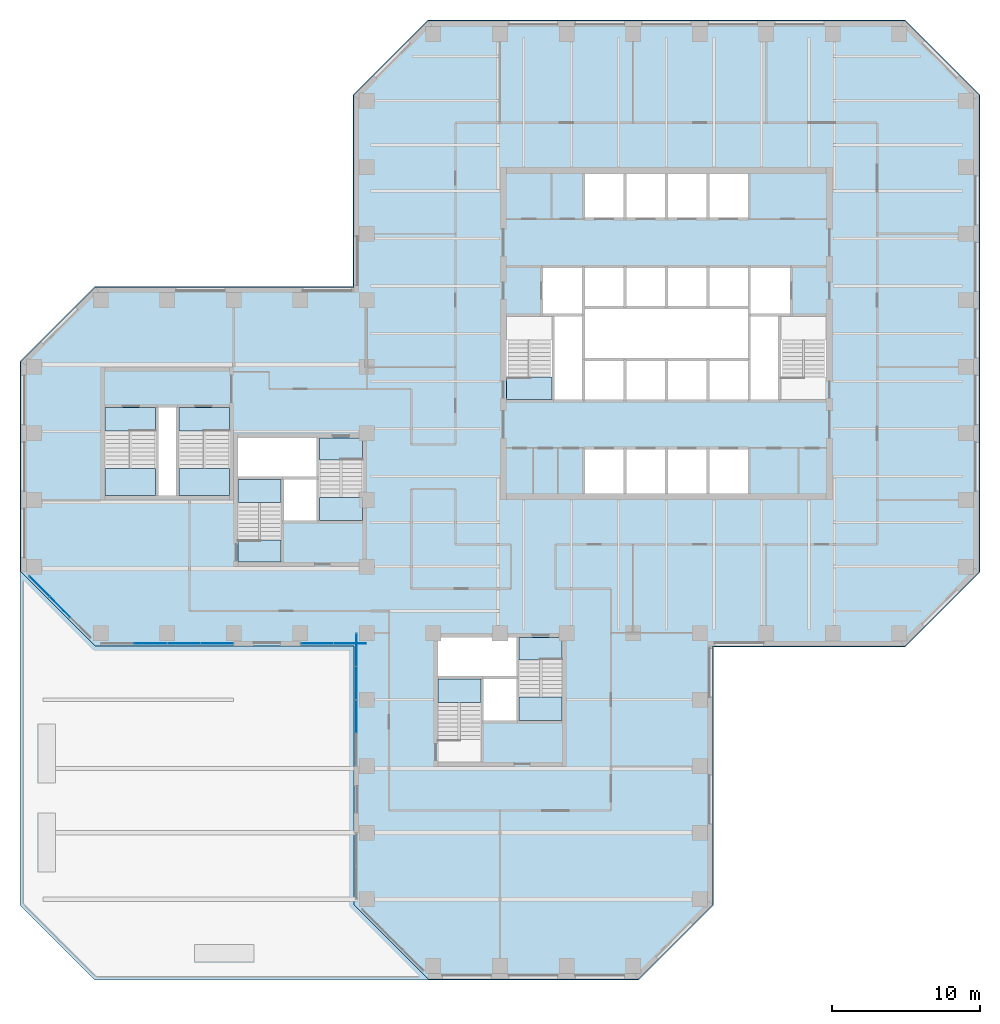
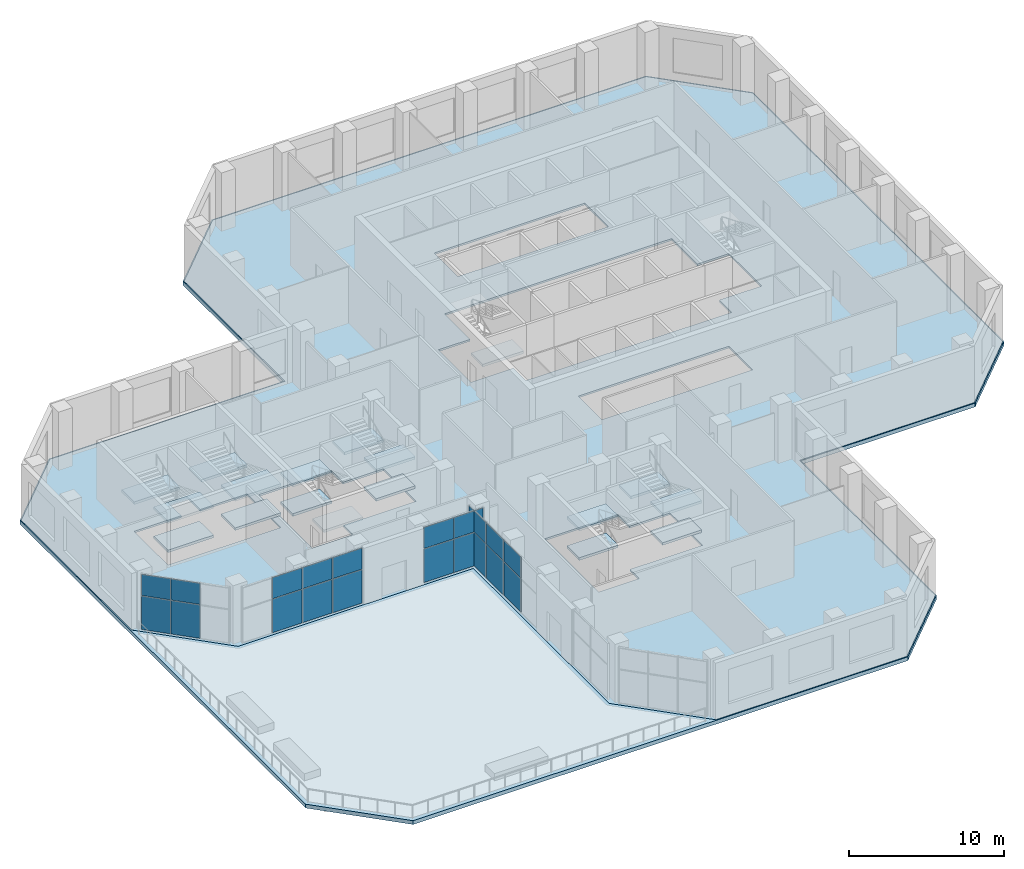
# One storey, part 5 of 14: 20 plates, 20 slabs, 11 elements without a shape of their own.
"""IFC4 building model written with IfcOpenShell, lengths in metres."""

from ifc_helpers import new_model, si_unit, direction, frame, origin, origin_2d, place, context, subcontext, project, spatial, polyline, rectangle, outline, extrude, material, layer, layer_set, constituent, constituent_set, type_object, element, aggregate, save


model = new_model("IFC4")

# Units and contexts
model_context = context("Model", 3, precision=1e-05, world=origin(), true_north=direction((0.0, 1.0)))
body_context = subcontext(model_context, "Body", "Model", "MODEL_VIEW")
ifc_project = project(units=[si_unit("LENGTHUNIT", "METRE"), si_unit("AREAUNIT", "SQUARE_METRE"), si_unit("VOLUMEUNIT", "CUBIC_METRE"), si_unit("PLANEANGLEUNIT", "RADIAN"), si_unit("MASSUNIT", "GRAM", prefix="KILO")], contexts=[model_context])

# Site, building, storey
site_placement = place(None, origin())
site = spatial("IfcSite", under=ifc_project, at=site_placement, CompositionType="ELEMENT")
building_placement = place(site_placement, origin())
building = spatial("IfcBuilding", under=site, at=building_placement, Name="Quoin Convention Tower", CompositionType="ELEMENT")
storey_placement = place(building_placement, frame((0.0, 0.0, 74.300048828125)))
storey = spatial("IfcBuildingStorey", under=building, at=storey_placement, Name="L19", CompositionType="ELEMENT", Elevation=74.300048828125)

# Slabs
ifc_material_1 = material(Name="Concrete C40", Category="concrete")
ifc_layer_1 = layer(ifc_material_1, 0.14990234375)
ifc_layer_set_1 = layer_set([ifc_layer_1], Name="Concrete C40")
slab_type_1 = type_object("IfcSlabType", Name="COMPOSITE SLAB 150 C40", PredefinedType="FLOOR", material=ifc_layer_set_1)
slab_1_placement = place(storey_placement, frame((0.0, 0.0, -0.150146484375)))
element("IfcSlab", 1, at=slab_1_placement, inside=storey, type_object=slab_type_1, Name="slb-L19", PredefinedType="FLOOR", context=body_context, shape_type="SweptSolid", body=[
    extrude(outline(polyline([(59.375, 22.1376953125), (54.3623046875, 17.125), (40.1376953125, 17.125), (35.125, 22.1376953125), (35.125, 39.625), (17.6376953125, 39.625), (12.625, 44.6376953125), (12.625, 58.8623046875), (17.6376953125, 63.875), (35.125, 63.875), (35.125, 76.8623046875), (40.1376953125, 81.875), (72.3623046875, 81.875), (77.375, 76.8623046875), (77.375, 44.6376953125), (72.3623046875, 39.625), (59.375, 39.625), (59.375, 22.1376953125)]), holes=[polyline([(40.800048828125, 40.199951171875), (40.800048828125, 37.5), (40.800048828125, 33.300537109375), (43.800048828125, 33.300537109375), (43.800048828125, 34.5), (46.199951171875, 34.5), (49.199951171875, 34.5), (49.199951171875, 38.699462890625), (46.199951171875, 38.699462890625), (46.199951171875, 40.199951171875), (40.800048828125, 40.199951171875)]), polyline([(35.699951171875, 52.199462890625), (32.699951171875, 52.199462890625), (32.699951171875, 53.699951171875), (27.300048828125, 53.699951171875), (27.300048828125, 51.0), (27.300048828125, 46.800537109375), (30.300048828125, 46.800537109375), (30.300048828125, 48.0), (32.699951171875, 48.0), (35.699951171875, 48.0), (35.699951171875, 52.199462890625)]), polyline([(53.449951171875, 49.949951171875), (56.25, 49.949951171875), (59.050048828125, 49.949951171875), (61.85009765625, 49.949951171875), (61.85009765625, 53.0), (59.050048828125, 53.0), (56.25, 53.0), (53.449951171875, 53.0), (50.64990234375, 53.0), (50.64990234375, 49.949951171875), (53.449951171875, 49.949951171875)]), polyline([(21.800048828125, 55.85009765625), (21.800048828125, 54.1494140625), (18.300048828125, 54.1494140625), (18.300048828125, 49.800048828125), (21.800048828125, 49.800048828125), (23.199951171875, 49.800048828125), (26.699951171875, 49.800048828125), (26.699951171875, 54.1494140625), (23.199951171875, 54.1494140625), (23.199951171875, 55.85009765625), (21.800048828125, 55.85009765625)]), polyline([(48.60009765625, 57.800537109375), (48.60009765625, 56.199951171875), (50.64990234375, 56.199951171875), (53.449951171875, 56.199951171875), (56.25, 56.199951171875), (59.050048828125, 56.199951171875), (61.85009765625, 56.199951171875), (63.89990234375, 56.199951171875), (63.89990234375, 57.800537109375), (67.050048828125, 57.800537109375), (67.050048828125, 62.0), (64.699951171875, 62.0), (64.699951171875, 65.300048828125), (61.85009765625, 65.300048828125), (59.050048828125, 65.300048828125), (56.25, 65.300048828125), (53.449951171875, 65.300048828125), (50.64990234375, 65.300048828125), (47.800048828125, 65.300048828125), (47.800048828125, 62.0), (45.449951171875, 62.0), (45.449951171875, 57.800537109375), (48.60009765625, 57.800537109375)]), polyline([(50.64990234375, 68.5), (53.449951171875, 68.5), (56.25, 68.5), (59.050048828125, 68.5), (61.85009765625, 68.5), (61.85009765625, 71.550048828125), (59.050048828125, 71.550048828125), (56.25, 71.550048828125), (53.449951171875, 71.550048828125), (50.64990234375, 71.550048828125), (50.64990234375, 68.5)])]), origin(), (0.0, 0.0, 1.0), 0.150146484375),
])
ifc_material_2 = material(Name="Concrete C50", Category="concrete")
ifc_layer_2 = layer(ifc_material_2, 0.300048828125)
ifc_layer_set_2 = layer_set([ifc_layer_2], Name="Concrete C50")
slab_type_2 = type_object("IfcSlabType", Name="RC ROOF SLAB 300 C50", PredefinedType="ROOF", material=ifc_layer_set_2)
slab_2_placement = place(storey_placement, frame((0.0, 0.0, -0.300048828125)))
element("IfcSlab", 2, at=slab_2_placement, inside=storey, type_object=slab_type_2, Name="slb-L19-rf", PredefinedType="ROOF", context=body_context, shape_type="SweptSolid", body=[
    extrude(outline(polyline([(12.550048828125, 58.88525390625), (12.550048828125, 58.88720703125), (12.55029296875, 58.88916015625), (12.55078125, 58.89111328125), (12.551513671875, 58.892822265625), (12.552490234375, 58.89453125), (12.553466796875, 58.896240234375), (12.554443359375, 58.89794921875), (12.555908203125, 58.8994140625), (17.6005859375, 63.944091796875), (17.60205078125, 63.945556640625), (17.603759765625, 63.946533203125), (17.60546875, 63.947509765625), (17.607177734375, 63.948486328125), (17.60888671875, 63.94921875), (17.61083984375, 63.94970703125), (17.61279296875, 63.949951171875), (17.61474609375, 63.949951171875), (35.049560546875, 63.949951171875), (35.050048828125, 63.949951171875), (35.050048828125, 63.950439453125), (35.050048828125, 76.88525390625), (35.050048828125, 76.88720703125), (35.05029296875, 76.88916015625), (35.05078125, 76.89111328125), (35.051513671875, 76.892822265625), (35.052490234375, 76.89453125), (35.053466796875, 76.896240234375), (35.054443359375, 76.89794921875), (35.055908203125, 76.8994140625), (40.1005859375, 81.944091796875), (40.10205078125, 81.945556640625), (40.103759765625, 81.946533203125), (40.10546875, 81.947509765625), (40.107177734375, 81.948486328125), (40.10888671875, 81.94921875), (40.11083984375, 81.94970703125), (40.11279296875, 81.949951171875), (40.11474609375, 81.949951171875), (72.38525390625, 81.949951171875), (72.38720703125, 81.949951171875), (72.38916015625, 81.94970703125), (72.39111328125, 81.94921875), (72.392822265625, 81.948486328125), (72.39453125, 81.947509765625), (72.396240234375, 81.946533203125), (72.39794921875, 81.945556640625), (72.3994140625, 81.944091796875), (77.444091796875, 76.8994140625), (77.445556640625, 76.89794921875), (77.446533203125, 76.896240234375), (77.447509765625, 76.89453125), (77.448486328125, 76.892822265625), (77.44921875, 76.89111328125), (77.44970703125, 76.88916015625), (77.449951171875, 76.88720703125), (77.449951171875, 76.88525390625), (77.449951171875, 44.61474609375), (77.449951171875, 44.61279296875), (77.44970703125, 44.61083984375), (77.44921875, 44.60888671875), (77.448486328125, 44.607177734375), (77.447509765625, 44.60546875), (77.446533203125, 44.603759765625), (77.445556640625, 44.60205078125), (77.444091796875, 44.6005859375), (72.3994140625, 39.555908203125), (72.39794921875, 39.554443359375), (72.396240234375, 39.553466796875), (72.39453125, 39.552490234375), (72.392822265625, 39.551513671875), (72.39111328125, 39.55078125), (72.38916015625, 39.55029296875), (72.38720703125, 39.550048828125), (72.38525390625, 39.550048828125), (59.450439453125, 39.550048828125), (59.449951171875, 39.550048828125), (59.449951171875, 39.549560546875), (59.449951171875, 22.11474609375), (59.449951171875, 22.11279296875), (59.44970703125, 22.11083984375), (59.44921875, 22.10888671875), (59.448486328125, 22.107177734375), (59.447509765625, 22.10546875), (59.446533203125, 22.103759765625), (59.445556640625, 22.10205078125), (59.444091796875, 22.1005859375), (54.3994140625, 17.055908203125), (54.39794921875, 17.054443359375), (54.396240234375, 17.053466796875), (54.39453125, 17.052490234375), (54.392822265625, 17.051513671875), (54.39111328125, 17.05078125), (54.38916015625, 17.05029296875), (54.38720703125, 17.050048828125), (54.38525390625, 17.050048828125), (17.61474609375, 17.050048828125), (17.61279296875, 17.050048828125), (17.61083984375, 17.05029296875), (17.60888671875, 17.05078125), (17.607177734375, 17.051513671875), (17.60546875, 17.052490234375), (17.603759765625, 17.053466796875), (17.60205078125, 17.054443359375), (17.6005859375, 17.055908203125), (12.555908203125, 22.1005859375), (12.554443359375, 22.10205078125), (12.553466796875, 22.103759765625), (12.552490234375, 22.10546875), (12.551513671875, 22.107177734375), (12.55078125, 22.10888671875), (12.55029296875, 22.11083984375), (12.550048828125, 22.11279296875), (12.550048828125, 22.11474609375), (12.550048828125, 58.88525390625)]), holes=[polyline([(12.625, 44.6376953125), (12.625244140625, 44.63720703125), (17.63720703125, 39.625244140625), (17.6376953125, 39.625), (17.63818359375, 39.625), (35.10498046875, 39.625), (35.10693359375, 39.625), (35.10888671875, 39.62451171875), (35.11083984375, 39.6240234375), (35.11279296875, 39.62353515625), (35.114501953125, 39.62255859375), (35.1162109375, 39.62158203125), (35.11767578125, 39.62060546875), (35.119140625, 39.619140625), (35.12060546875, 39.61767578125), (35.12158203125, 39.6162109375), (35.12255859375, 39.614501953125), (35.12353515625, 39.61279296875), (35.1240234375, 39.61083984375), (35.12451171875, 39.60888671875), (35.125, 39.60693359375), (35.125, 39.60498046875), (35.125, 22.13818359375), (35.125, 22.1376953125), (35.125244140625, 22.13720703125), (40.13720703125, 17.125244140625), (40.1376953125, 17.125), (40.13818359375, 17.125), (54.36181640625, 17.125), (54.3623046875, 17.125), (54.36279296875, 17.125244140625), (59.374755859375, 22.13720703125), (59.375, 22.1376953125), (59.375, 22.13818359375), (59.375, 39.60498046875), (59.375, 39.60693359375), (59.37548828125, 39.60888671875), (59.3759765625, 39.61083984375), (59.37646484375, 39.61279296875), (59.37744140625, 39.614501953125), (59.37841796875, 39.6162109375), (59.37939453125, 39.61767578125), (59.380859375, 39.619140625), (59.38232421875, 39.62060546875), (59.3837890625, 39.62158203125), (59.385498046875, 39.62255859375), (59.38720703125, 39.62353515625), (59.38916015625, 39.6240234375), (59.39111328125, 39.62451171875), (59.39306640625, 39.625), (59.39501953125, 39.625), (72.36181640625, 39.625), (72.3623046875, 39.625), (72.36279296875, 39.625244140625), (77.374755859375, 44.63720703125), (77.375, 44.6376953125), (77.375, 44.63818359375), (77.375, 76.86181640625), (77.375, 76.8623046875), (77.374755859375, 76.86279296875), (72.36279296875, 81.874755859375), (72.3623046875, 81.875), (72.36181640625, 81.875), (40.13818359375, 81.875), (40.1376953125, 81.875), (40.13720703125, 81.874755859375), (35.125244140625, 76.86279296875), (35.125, 76.8623046875), (35.125, 76.86181640625), (35.125, 63.89501953125), (35.125, 63.89306640625), (35.12451171875, 63.89111328125), (35.1240234375, 63.88916015625), (35.12353515625, 63.88720703125), (35.12255859375, 63.885498046875), (35.12158203125, 63.8837890625), (35.12060546875, 63.88232421875), (35.119140625, 63.880859375), (35.11767578125, 63.87939453125), (35.1162109375, 63.87841796875), (35.114501953125, 63.87744140625), (35.11279296875, 63.87646484375), (35.11083984375, 63.8759765625), (35.10888671875, 63.87548828125), (35.10693359375, 63.875), (35.10498046875, 63.875), (17.63818359375, 63.875), (17.6376953125, 63.875), (17.63720703125, 63.874755859375), (12.625244140625, 58.86279296875), (12.625, 58.8623046875), (12.625, 58.86181640625), (12.625, 44.63818359375), (12.625, 44.6376953125)])]), origin(), (0.0, 0.0, 1.0), 0.300048828125),
])

# Curtain wall, plates
ifc_material_3 = material(Name="Aluminium", Category="aluminium")
ifc_constituent_1 = constituent(ifc_material_3, Name="Frame")
ifc_material_4 = material(Name="Insulated glass", Category="glass")
ifc_constituent_2 = constituent(ifc_material_4, Name="Glazing")
ifc_constituent_set = constituent_set(constituents=[ifc_constituent_1, ifc_constituent_2], Name="Aluminium")
curtain_wall_type = type_object("IfcCurtainWallType", Name="Sky lobby glazing system", PredefinedType="NOTDEFINED", material=ifc_constituent_set)
curtain_wall_1_placement = place(storey_placement, origin())
curtain_wall_1 = element("IfcCurtainWall", 3, at=curtain_wall_1_placement, inside=storey, type_object=curtain_wall_type, Name="cw-SKY-L19-13005_44505", PredefinedType="NOTDEFINED")
ifc_layer_3 = layer(ifc_material_4, 0.035888671875)
ifc_layer_set_3 = layer_set([ifc_layer_3], Name="Insulated glass")
plate_type = type_object("IfcPlateType", Name="Sky lobby glazing glazing unit 36", PredefinedType="CURTAIN_PANEL", material=ifc_layer_set_3)
plate_1_placement = place(storey_placement, frame((13.86328125, 43.646728515625, 0.050048828125), z_axis=(0.0, 0.0, 1.0), x_axis=(0.707115210816, -0.707098351457, 0.0)))
plate_1 = element("IfcPlate", 4, at=plate_1_placement, type_object=plate_type, Name="CW3 panel 1.1", PredefinedType="CURTAIN_PANEL", context=body_context, shape_type="SweptSolid", body=[
    extrude(rectangle(XDim=1.902099609375, YDim=0.035888671875, at=origin_2d()), origin(), (0.0, 0.0, 1.0), 2.625),
])
plate_2_placement = place(storey_placement, frame((13.86328125, 43.646728515625, 2.72509765625), z_axis=(0.0, 0.0, 1.0), x_axis=(0.707115210816, -0.707098351457, 0.0)))
plate_2 = element("IfcPlate", 5, at=plate_2_placement, type_object=plate_type, Name="CW3 panel 1.2", PredefinedType="CURTAIN_PANEL", context=body_context, shape_type="SweptSolid", body=[
    extrude(rectangle(XDim=1.902099609375, YDim=0.035888671875, at=origin_2d()), origin(), (0.0, 0.0, 1.0), 1.64990234375),
])
plate_3_placement = place(storey_placement, frame((15.25244140625, 42.257568359375, 0.050048828125), z_axis=(0.0, 0.0, 1.0), x_axis=(0.707115210816, -0.707098351457, 0.0)))
plate_3 = element("IfcPlate", 6, at=plate_3_placement, type_object=plate_type, Name="CW3 panel 2.1", PredefinedType="CURTAIN_PANEL", context=body_context, shape_type="SweptSolid", body=[
    extrude(rectangle(XDim=1.92724609375, YDim=0.035888671875, at=origin_2d()), origin(), (0.0, 0.0, 1.0), 2.625),
])
plate_4_placement = place(storey_placement, frame((15.25244140625, 42.257568359375, 2.72509765625), z_axis=(0.0, 0.0, 1.0), x_axis=(0.707115210816, -0.707098351457, 0.0)))
plate_4 = element("IfcPlate", 7, at=plate_4_placement, type_object=plate_type, Name="CW3 panel 2.2", PredefinedType="CURTAIN_PANEL", context=body_context, shape_type="SweptSolid", body=[
    extrude(rectangle(XDim=1.92724609375, YDim=0.035888671875, at=origin_2d()), origin(), (0.0, 0.0, 1.0), 1.64990234375),
])
aggregate(curtain_wall_1, [plate_1, plate_2, plate_3, plate_4])

curtain_wall_2_placement = place(storey_placement, origin())
curtain_wall_2 = element("IfcCurtainWall", 8, at=curtain_wall_2_placement, inside=storey, type_object=curtain_wall_type, Name="cw-SKY-L19-18000_39800", PredefinedType="NOTDEFINED")
plate_5_placement = place(storey_placement, frame((21.375, 39.800048828125, 0.050048828125), z_axis=(0.0, 0.0, 1.0), x_axis=(1.0, 0.0, 0.0)))
plate_5 = element("IfcPlate", 9, at=plate_5_placement, type_object=plate_type, Name="CW3 panel 2.1", PredefinedType="CURTAIN_PANEL", context=body_context, shape_type="SweptSolid", body=[
    extrude(rectangle(XDim=2.199951171875, YDim=0.035888671875, at=origin_2d()), origin(), (0.0, 0.0, 1.0), 2.625),
])
plate_6_placement = place(storey_placement, frame((21.375, 39.800048828125, 2.72509765625), z_axis=(0.0, 0.0, 1.0), x_axis=(1.0, 0.0, 0.0)))
plate_6 = element("IfcPlate", 10, at=plate_6_placement, type_object=plate_type, Name="CW3 panel 2.2", PredefinedType="CURTAIN_PANEL", context=body_context, shape_type="SweptSolid", body=[
    extrude(rectangle(XDim=2.199951171875, YDim=0.035888671875, at=origin_2d()), origin(), (0.0, 0.0, 1.0), 1.64990234375),
])
plate_7_placement = place(storey_placement, frame((23.625, 39.800048828125, 0.050048828125), z_axis=(0.0, 0.0, 1.0), x_axis=(1.0, 0.0, 0.0)))
plate_7 = element("IfcPlate", 11, at=plate_7_placement, type_object=plate_type, Name="CW3 panel 3.1", PredefinedType="CURTAIN_PANEL", context=body_context, shape_type="SweptSolid", body=[
    extrude(rectangle(XDim=2.199951171875, YDim=0.035888671875, at=origin_2d()), origin(), (0.0, 0.0, 1.0), 2.625),
])
plate_8_placement = place(storey_placement, frame((23.625, 39.800048828125, 2.72509765625), z_axis=(0.0, 0.0, 1.0), x_axis=(1.0, 0.0, 0.0)))
plate_8 = element("IfcPlate", 12, at=plate_8_placement, type_object=plate_type, Name="CW3 panel 3.2", PredefinedType="CURTAIN_PANEL", context=body_context, shape_type="SweptSolid", body=[
    extrude(rectangle(XDim=2.199951171875, YDim=0.035888671875, at=origin_2d()), origin(), (0.0, 0.0, 1.0), 1.64990234375),
])
plate_9_placement = place(storey_placement, frame((25.862548828125, 39.800048828125, 0.050048828125), z_axis=(0.0, 0.0, 1.0), x_axis=(1.0, 0.0, 0.0)))
plate_9 = element("IfcPlate", 13, at=plate_9_placement, type_object=plate_type, Name="CW3 panel 4.1", PredefinedType="CURTAIN_PANEL", context=body_context, shape_type="SweptSolid", body=[
    extrude(rectangle(XDim=2.175048828125, YDim=0.035888671875, at=origin_2d()), origin(), (0.0, 0.0, 1.0), 2.625),
])
plate_10_placement = place(storey_placement, frame((25.862548828125, 39.800048828125, 2.72509765625), z_axis=(0.0, 0.0, 1.0), x_axis=(1.0, 0.0, 0.0)))
plate_10 = element("IfcPlate", 14, at=plate_10_placement, type_object=plate_type, Name="CW3 panel 4.2", PredefinedType="CURTAIN_PANEL", context=body_context, shape_type="SweptSolid", body=[
    extrude(rectangle(XDim=2.175048828125, YDim=0.035888671875, at=origin_2d()), origin(), (0.0, 0.0, 1.0), 1.64990234375),
])
aggregate(curtain_wall_2, [plate_5, plate_6, plate_7, plate_8, plate_9, plate_10])

curtain_wall_3_placement = place(storey_placement, origin())
curtain_wall_3 = element("IfcCurtainWall", 15, at=curtain_wall_3_placement, inside=storey, type_object=curtain_wall_type, Name="cw-SKY-L19-31500_39800", PredefinedType="NOTDEFINED")
plate_11_placement = place(storey_placement, frame((32.637451171875, 39.800048828125, 0.050048828125), z_axis=(0.0, 0.0, 1.0), x_axis=(1.0, 0.0, 0.0)))
plate_11 = element("IfcPlate", 16, at=plate_11_placement, type_object=plate_type, Name="CW3 panel 1.1", PredefinedType="CURTAIN_PANEL", context=body_context, shape_type="SweptSolid", body=[
    extrude(rectangle(XDim=2.175048828125, YDim=0.035888671875, at=origin_2d()), origin(), (0.0, 0.0, 1.0), 2.625),
])
plate_12_placement = place(storey_placement, frame((32.637451171875, 39.800048828125, 2.72509765625), z_axis=(0.0, 0.0, 1.0), x_axis=(1.0, 0.0, 0.0)))
plate_12 = element("IfcPlate", 17, at=plate_12_placement, type_object=plate_type, Name="CW3 panel 1.2", PredefinedType="CURTAIN_PANEL", context=body_context, shape_type="SweptSolid", body=[
    extrude(rectangle(XDim=2.175048828125, YDim=0.035888671875, at=origin_2d()), origin(), (0.0, 0.0, 1.0), 1.64990234375),
])
plate_13_placement = place(storey_placement, frame((34.862548828125, 39.800048828125, 0.050048828125), z_axis=(0.0, 0.0, 1.0), x_axis=(1.0, 0.0, 0.0)))
plate_13 = element("IfcPlate", 18, at=plate_13_placement, type_object=plate_type, Name="CW3 panel 2.1", PredefinedType="CURTAIN_PANEL", context=body_context, shape_type="SweptSolid", body=[
    extrude(rectangle(XDim=2.175048828125, YDim=0.035888671875, at=origin_2d()), origin(), (0.0, 0.0, 1.0), 2.625),
])
plate_14_placement = place(storey_placement, frame((34.862548828125, 39.800048828125, 2.72509765625), z_axis=(0.0, 0.0, 1.0), x_axis=(1.0, 0.0, 0.0)))
plate_14 = element("IfcPlate", 19, at=plate_14_placement, type_object=plate_type, Name="CW3 panel 2.2", PredefinedType="CURTAIN_PANEL", context=body_context, shape_type="SweptSolid", body=[
    extrude(rectangle(XDim=2.175048828125, YDim=0.035888671875, at=origin_2d()), origin(), (0.0, 0.0, 1.0), 1.64990234375),
])
aggregate(curtain_wall_3, [plate_11, plate_12, plate_13, plate_14])

curtain_wall_4_placement = place(storey_placement, origin())
curtain_wall_4 = element("IfcCurtainWall", 20, at=curtain_wall_4_placement, inside=storey, type_object=curtain_wall_type, Name="cw-SKY-L19-35300_40500", PredefinedType="NOTDEFINED")
plate_15_placement = place(storey_placement, frame((35.300048828125, 39.362548828125, 0.050048828125), z_axis=(0.0, 0.0, 1.0), x_axis=(0.0, -1.0, 0.0)))
plate_15 = element("IfcPlate", 21, at=plate_15_placement, type_object=plate_type, Name="CW3 panel 1.1", PredefinedType="CURTAIN_PANEL", context=body_context, shape_type="SweptSolid", body=[
    extrude(rectangle(XDim=2.175048828125, YDim=0.035888671875, at=origin_2d()), origin(), (0.0, 0.0, 1.0), 2.625),
])
plate_16_placement = place(storey_placement, frame((35.300048828125, 39.362548828125, 2.72509765625), z_axis=(0.0, 0.0, 1.0), x_axis=(0.0, -1.0, 0.0)))
plate_16 = element("IfcPlate", 22, at=plate_16_placement, type_object=plate_type, Name="CW3 panel 1.2", PredefinedType="CURTAIN_PANEL", context=body_context, shape_type="SweptSolid", body=[
    extrude(rectangle(XDim=2.175048828125, YDim=0.035888671875, at=origin_2d()), origin(), (0.0, 0.0, 1.0), 1.64990234375),
])
plate_17_placement = place(storey_placement, frame((35.300048828125, 37.125, 0.050048828125), z_axis=(0.0, 0.0, 1.0), x_axis=(0.0, -1.0, 0.0)))
plate_17 = element("IfcPlate", 23, at=plate_17_placement, type_object=plate_type, Name="CW3 panel 2.1", PredefinedType="CURTAIN_PANEL", context=body_context, shape_type="SweptSolid", body=[
    extrude(rectangle(XDim=2.199951171875, YDim=0.035888671875, at=origin_2d()), origin(), (0.0, 0.0, 1.0), 2.625),
])
plate_18_placement = place(storey_placement, frame((35.300048828125, 37.125, 2.72509765625), z_axis=(0.0, 0.0, 1.0), x_axis=(0.0, -1.0, 0.0)))
plate_18 = element("IfcPlate", 24, at=plate_18_placement, type_object=plate_type, Name="CW3 panel 2.2", PredefinedType="CURTAIN_PANEL", context=body_context, shape_type="SweptSolid", body=[
    extrude(rectangle(XDim=2.199951171875, YDim=0.035888671875, at=origin_2d()), origin(), (0.0, 0.0, 1.0), 1.64990234375),
])
plate_19_placement = place(storey_placement, frame((35.300048828125, 34.875, 0.050048828125), z_axis=(0.0, 0.0, 1.0), x_axis=(0.0, -1.0, 0.0)))
plate_19 = element("IfcPlate", 25, at=plate_19_placement, type_object=plate_type, Name="CW3 panel 3.1", PredefinedType="CURTAIN_PANEL", context=body_context, shape_type="SweptSolid", body=[
    extrude(rectangle(XDim=2.199951171875, YDim=0.035888671875, at=origin_2d()), origin(), (0.0, 0.0, 1.0), 2.625),
])
plate_20_placement = place(storey_placement, frame((35.300048828125, 34.875, 2.72509765625), z_axis=(0.0, 0.0, 1.0), x_axis=(0.0, -1.0, 0.0)))
plate_20 = element("IfcPlate", 26, at=plate_20_placement, type_object=plate_type, Name="CW3 panel 3.2", PredefinedType="CURTAIN_PANEL", context=body_context, shape_type="SweptSolid", body=[
    extrude(rectangle(XDim=2.199951171875, YDim=0.035888671875, at=origin_2d()), origin(), (0.0, 0.0, 1.0), 1.64990234375),
])
aggregate(curtain_wall_4, [plate_15, plate_16, plate_17, plate_18, plate_19, plate_20])

# Stair, slab
stair_type_1 = type_object("IfcStairType", Name="Exit stair four-flight 1350", PredefinedType="DOUBLE_RETURN_STAIR", material=ifc_material_1)
stair_1_placement = place(storey_placement, origin())
stair_1 = element("IfcStair", 27, at=stair_1_placement, inside=storey, type_object=stair_type_1, Name="SD1 L19", PredefinedType="DOUBLE_RETURN_STAIR")
ifc_layer_4 = layer(ifc_material_1, 0.199951171875)
ifc_layer_set_4 = layer_set([ifc_layer_4], Name="Concrete C40")
slab_type_3 = type_object("IfcSlabType", Name="Stair landing 200", PredefinedType="LANDING", material=ifc_layer_set_4)
slab_3_placement = place(storey_placement, frame((0.0, 0.0, 2.099853515625)))
slab_3 = element("IfcSlab", 28, at=slab_3_placement, type_object=slab_type_3, Name="ST1 landing 2", PredefinedType="LANDING", context=body_context, shape_type="SweptSolid", body=[
    extrude(outline(polyline([(45.449951171875, 56.300048828125), (48.5, 56.300048828125), (48.5, 57.800048828125), (45.449951171875, 57.800048828125), (45.449951171875, 56.300048828125)])), origin(), (0.0, 0.0, 1.0), 0.2001953125),
])
aggregate(stair_1, [slab_3])

# Stair, slabs
stair_2_placement = place(storey_placement, origin())
stair_2 = element("IfcStair", 29, at=stair_2_placement, inside=storey, type_object=stair_type_1, Name="SD3 L19", PredefinedType="DOUBLE_RETURN_STAIR")
slab_4_placement = place(storey_placement, frame((0.0, 0.0, 0.949951171875)))
slab_4 = element("IfcSlab", 30, at=slab_4_placement, type_object=slab_type_3, Name="ST3 landing 1", PredefinedType="LANDING", context=body_context, shape_type="SweptSolid", body=[
    extrude(outline(polyline([(27.300048828125, 49.320068359375), (30.199951171875, 49.320068359375), (30.199951171875, 50.89990234375), (27.300048828125, 50.89990234375), (27.300048828125, 49.320068359375)])), origin(), (0.0, 0.0, 1.0), 0.199951171875),
])
slab_5_placement = place(storey_placement, frame((0.0, 0.0, 2.099853515625)))
slab_5 = element("IfcSlab", 31, at=slab_5_placement, type_object=slab_type_3, Name="ST3 landing 2", PredefinedType="LANDING", context=body_context, shape_type="SweptSolid", body=[
    extrude(outline(polyline([(27.300048828125, 45.300048828125), (30.199951171875, 45.300048828125), (30.199951171875, 46.800048828125), (27.300048828125, 46.800048828125), (27.300048828125, 45.300048828125)])), origin(), (0.0, 0.0, 1.0), 0.2001953125),
])
slab_6_placement = place(storey_placement, frame((0.0, 0.0, 3.25)))
slab_6 = element("IfcSlab", 32, at=slab_6_placement, type_object=slab_type_3, Name="ST3 landing 3", PredefinedType="LANDING", context=body_context, shape_type="SweptSolid", body=[
    extrude(outline(polyline([(27.300048828125, 49.320068359375), (30.199951171875, 49.320068359375), (30.199951171875, 50.89990234375), (27.300048828125, 50.89990234375), (27.300048828125, 49.320068359375)])), origin(), (0.0, 0.0, 1.0), 0.199951171875),
])
aggregate(stair_2, [slab_4, slab_5, slab_6])

stair_3_placement = place(storey_placement, origin())
stair_3 = element("IfcStair", 33, at=stair_3_placement, inside=storey, type_object=stair_type_1, Name="SD4 L19", PredefinedType="DOUBLE_RETURN_STAIR")
slab_7_placement = place(storey_placement, frame((0.0, 0.0, 0.949951171875)))
slab_7 = element("IfcSlab", 34, at=slab_7_placement, type_object=slab_type_3, Name="ST4 landing 1", PredefinedType="LANDING", context=body_context, shape_type="SweptSolid", body=[
    extrude(outline(polyline([(35.699951171875, 49.679931640625), (32.800048828125, 49.679931640625), (32.800048828125, 48.10009765625), (35.699951171875, 48.10009765625), (35.699951171875, 49.679931640625)])), origin(), (0.0, 0.0, 1.0), 0.199951171875),
])
slab_8_placement = place(storey_placement, frame((0.0, 0.0, 2.099853515625)))
slab_8 = element("IfcSlab", 35, at=slab_8_placement, type_object=slab_type_3, Name="ST4 landing 2", PredefinedType="LANDING", context=body_context, shape_type="SweptSolid", body=[
    extrude(outline(polyline([(35.699951171875, 53.699951171875), (32.800048828125, 53.699951171875), (32.800048828125, 52.199951171875), (35.699951171875, 52.199951171875), (35.699951171875, 53.699951171875)])), origin(), (0.0, 0.0, 1.0), 0.2001953125),
])
slab_9_placement = place(storey_placement, frame((0.0, 0.0, 3.25)))
slab_9 = element("IfcSlab", 36, at=slab_9_placement, type_object=slab_type_3, Name="ST4 landing 3", PredefinedType="LANDING", context=body_context, shape_type="SweptSolid", body=[
    extrude(outline(polyline([(35.699951171875, 49.679931640625), (32.800048828125, 49.679931640625), (32.800048828125, 48.10009765625), (35.699951171875, 48.10009765625), (35.699951171875, 49.679931640625)])), origin(), (0.0, 0.0, 1.0), 0.199951171875),
])
aggregate(stair_3, [slab_7, slab_8, slab_9])

stair_4_placement = place(storey_placement, origin())
stair_4 = element("IfcStair", 37, at=stair_4_placement, inside=storey, type_object=stair_type_1, Name="SD5 L19", PredefinedType="DOUBLE_RETURN_STAIR")
slab_10_placement = place(storey_placement, frame((0.0, 0.0, 0.949951171875)))
slab_10 = element("IfcSlab", 38, at=slab_10_placement, type_object=slab_type_3, Name="ST5 landing 1", PredefinedType="LANDING", context=body_context, shape_type="SweptSolid", body=[
    extrude(outline(polyline([(40.800048828125, 35.820068359375), (43.699951171875, 35.820068359375), (43.699951171875, 37.39990234375), (40.800048828125, 37.39990234375), (40.800048828125, 35.820068359375)])), origin(), (0.0, 0.0, 1.0), 0.199951171875),
])
slab_11_placement = place(storey_placement, frame((0.0, 0.0, 3.25)))
slab_11 = element("IfcSlab", 39, at=slab_11_placement, type_object=slab_type_3, Name="ST5 landing 3", PredefinedType="LANDING", context=body_context, shape_type="SweptSolid", body=[
    extrude(outline(polyline([(40.800048828125, 35.820068359375), (43.699951171875, 35.820068359375), (43.699951171875, 37.39990234375), (40.800048828125, 37.39990234375), (40.800048828125, 35.820068359375)])), origin(), (0.0, 0.0, 1.0), 0.199951171875),
])
aggregate(stair_4, [slab_10, slab_11])

stair_5_placement = place(storey_placement, origin())
stair_5 = element("IfcStair", 40, at=stair_5_placement, inside=storey, type_object=stair_type_1, Name="SD6 L19", PredefinedType="DOUBLE_RETURN_STAIR")
slab_12_placement = place(storey_placement, frame((0.0, 0.0, 0.949951171875)))
slab_12 = element("IfcSlab", 41, at=slab_12_placement, type_object=slab_type_3, Name="ST6 landing 1", PredefinedType="LANDING", context=body_context, shape_type="SweptSolid", body=[
    extrude(outline(polyline([(49.199951171875, 36.179931640625), (46.300048828125, 36.179931640625), (46.300048828125, 34.60009765625), (49.199951171875, 34.60009765625), (49.199951171875, 36.179931640625)])), origin(), (0.0, 0.0, 1.0), 0.199951171875),
])
slab_13_placement = place(storey_placement, frame((0.0, 0.0, 2.099853515625)))
slab_13 = element("IfcSlab", 42, at=slab_13_placement, type_object=slab_type_3, Name="ST6 landing 2", PredefinedType="LANDING", context=body_context, shape_type="SweptSolid", body=[
    extrude(outline(polyline([(49.199951171875, 40.199951171875), (46.300048828125, 40.199951171875), (46.300048828125, 38.699951171875), (49.199951171875, 38.699951171875), (49.199951171875, 40.199951171875)])), origin(), (0.0, 0.0, 1.0), 0.2001953125),
])
slab_14_placement = place(storey_placement, frame((0.0, 0.0, 3.25)))
slab_14 = element("IfcSlab", 43, at=slab_14_placement, type_object=slab_type_3, Name="ST6 landing 3", PredefinedType="LANDING", context=body_context, shape_type="SweptSolid", body=[
    extrude(outline(polyline([(49.199951171875, 36.179931640625), (46.300048828125, 36.179931640625), (46.300048828125, 34.60009765625), (49.199951171875, 34.60009765625), (49.199951171875, 36.179931640625)])), origin(), (0.0, 0.0, 1.0), 0.199951171875),
])
aggregate(stair_5, [slab_12, slab_13, slab_14])

stair_type_2 = type_object("IfcStairType", Name="Exit stair four-flight 1600", PredefinedType="DOUBLE_RETURN_STAIR", material=ifc_material_1)
stair_6_placement = place(storey_placement, origin())
stair_6 = element("IfcStair", 44, at=stair_6_placement, inside=storey, type_object=stair_type_2, Name="SD11 L19", PredefinedType="DOUBLE_RETURN_STAIR")
slab_15_placement = place(storey_placement, frame((0.0, 0.0, 0.949951171875)))
slab_15 = element("IfcSlab", 45, at=slab_15_placement, type_object=slab_type_3, Name="ST11 landing 1", PredefinedType="LANDING", context=body_context, shape_type="SweptSolid", body=[
    extrude(outline(polyline([(21.699951171875, 51.6298828125), (18.300048828125, 51.6298828125), (18.300048828125, 49.800048828125), (21.699951171875, 49.800048828125), (21.699951171875, 51.6298828125)])), origin(), (0.0, 0.0, 1.0), 0.199951171875),
])
slab_16_placement = place(storey_placement, frame((0.0, 0.0, 2.099853515625)))
slab_16 = element("IfcSlab", 46, at=slab_16_placement, type_object=slab_type_3, Name="ST11 landing 2", PredefinedType="LANDING", context=body_context, shape_type="SweptSolid", body=[
    extrude(outline(polyline([(21.699951171875, 55.75), (18.300048828125, 55.75), (18.300048828125, 54.14990234375), (21.699951171875, 54.14990234375), (21.699951171875, 55.75)])), origin(), (0.0, 0.0, 1.0), 0.2001953125),
])
slab_17_placement = place(storey_placement, frame((0.0, 0.0, 3.25)))
slab_17 = element("IfcSlab", 47, at=slab_17_placement, type_object=slab_type_3, Name="ST11 landing 3", PredefinedType="LANDING", context=body_context, shape_type="SweptSolid", body=[
    extrude(outline(polyline([(21.699951171875, 51.6298828125), (18.300048828125, 51.6298828125), (18.300048828125, 49.800048828125), (21.699951171875, 49.800048828125), (21.699951171875, 51.6298828125)])), origin(), (0.0, 0.0, 1.0), 0.199951171875),
])
aggregate(stair_6, [slab_15, slab_16, slab_17])

stair_7_placement = place(storey_placement, origin())
stair_7 = element("IfcStair", 48, at=stair_7_placement, inside=storey, type_object=stair_type_2, Name="SD12 L19", PredefinedType="DOUBLE_RETURN_STAIR")
slab_18_placement = place(storey_placement, frame((0.0, 0.0, 0.949951171875)))
slab_18 = element("IfcSlab", 49, at=slab_18_placement, type_object=slab_type_3, Name="ST12 landing 1", PredefinedType="LANDING", context=body_context, shape_type="SweptSolid", body=[
    extrude(outline(polyline([(26.699951171875, 51.6298828125), (23.300048828125, 51.6298828125), (23.300048828125, 49.800048828125), (26.699951171875, 49.800048828125), (26.699951171875, 51.6298828125)])), origin(), (0.0, 0.0, 1.0), 0.199951171875),
])
slab_19_placement = place(storey_placement, frame((0.0, 0.0, 2.099853515625)))
slab_19 = element("IfcSlab", 50, at=slab_19_placement, type_object=slab_type_3, Name="ST12 landing 2", PredefinedType="LANDING", context=body_context, shape_type="SweptSolid", body=[
    extrude(outline(polyline([(26.699951171875, 55.75), (23.300048828125, 55.75), (23.300048828125, 54.14990234375), (26.699951171875, 54.14990234375), (26.699951171875, 55.75)])), origin(), (0.0, 0.0, 1.0), 0.2001953125),
])
slab_20_placement = place(storey_placement, frame((0.0, 0.0, 3.25)))
slab_20 = element("IfcSlab", 51, at=slab_20_placement, type_object=slab_type_3, Name="ST12 landing 3", PredefinedType="LANDING", context=body_context, shape_type="SweptSolid", body=[
    extrude(outline(polyline([(26.699951171875, 51.6298828125), (23.300048828125, 51.6298828125), (23.300048828125, 49.800048828125), (26.699951171875, 49.800048828125), (26.699951171875, 51.6298828125)])), origin(), (0.0, 0.0, 1.0), 0.199951171875),
])
aggregate(stair_7, [slab_18, slab_19, slab_20])

save(model, "model.ifc")
